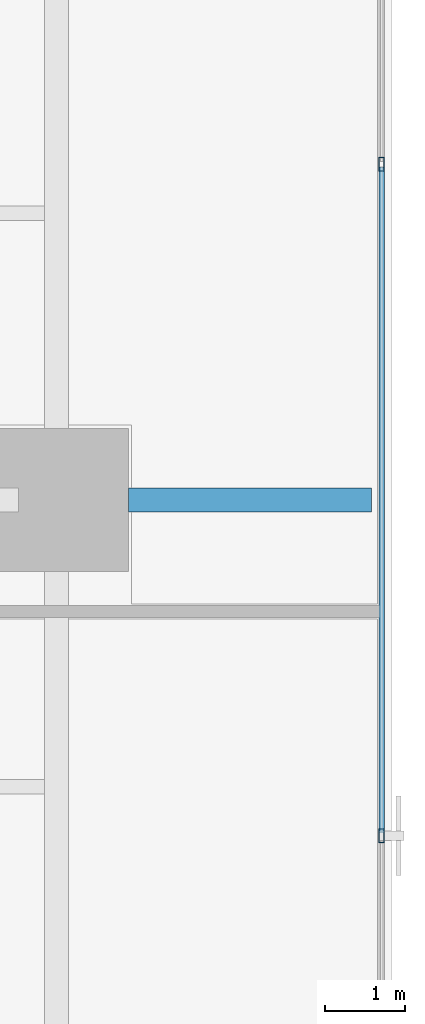
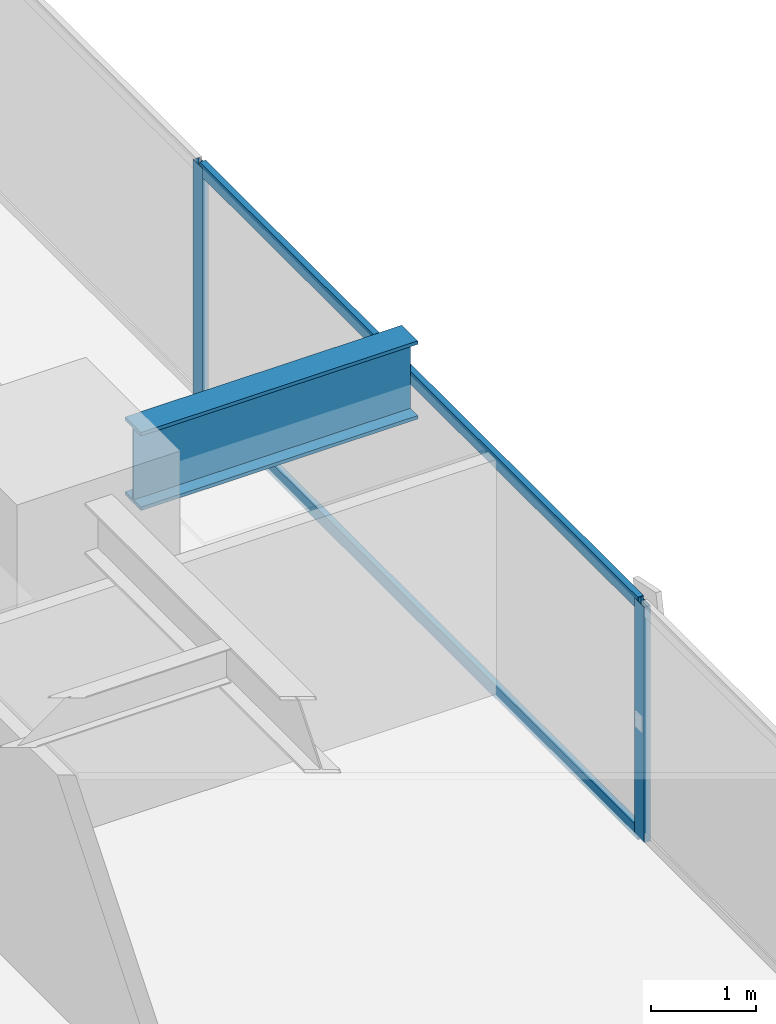
# One storey, part 14 of 32: 4 members, 1 beam, 1 element without a shape of its own.
"""IFC4 building model written with IfcOpenShell, lengths in metres."""

import ifcopenshell
import ifcopenshell.guid

model = None  # the IFC model being written
_history = None  # IfcOwnerHistory: only IFC2X3 demands one
_inside = {}  # id of a spatial element -> (the spatial element, [elements in it])
_under = {}  # id of a project, library or spatial element -> (it, [spatial elements below it])
_declared = {}  # id of a project -> (the project, [libraries it declares])
_typed = {}  # id of a type object -> (the type object, [elements of that type])
_made_of = {}  # id of a material, layer set ... -> (it, [elements and type objects made of it])


def new_model(schema):
    """Start an empty IFC model of exactly this schema.

    Asked for "IFC4X3", IfcOpenShell would pick the latest addendum, in which some entities
    have other attributes; the version numbers below select the first issue.
    IFC2X3 requires an IfcOwnerHistory on every rooted entity: one is made here for all.
    """
    global model, _history
    if schema == "IFC4X3":
        model = ifcopenshell.file(schema_version=(4, 3, 0, 0))
    else:
        model = ifcopenshell.file(schema=schema)
    _inside.clear()
    _under.clear()
    _declared.clear()
    _typed.clear()
    _made_of.clear()
    _history = None
    if model.schema == "IFC2X3":
        org = make("IfcOrganization", Name="unknown")
        user = make(
            "IfcPersonAndOrganization",
            ThePerson=make("IfcPerson", FamilyName="unknown"),
            TheOrganization=org,
        )
        app = make(
            "IfcApplication",
            ApplicationDeveloper=org,
            Version="unknown",
            ApplicationFullName="unknown",
            ApplicationIdentifier="unknown",
        )
        _history = make(
            "IfcOwnerHistory",
            OwningUser=user,
            OwningApplication=app,
            ChangeAction="ADDED",
            CreationDate=0,
        )
    return model


def make(cls, **values):
    """One entity of the class cls with the attributes given. An attribute that is None is left unset."""
    return model.create_entity(
        cls, **{name: value for name, value in values.items() if value is not None}
    )


def rooted(cls, **values):
    """An entity with a GlobalId (a new one), such as an element, a storey or a relation."""
    return make(cls, GlobalId=ifcopenshell.guid.new(), OwnerHistory=_history, **values)


def si_unit(unit_type, name, prefix=None):
    """IfcSIUnit, for example si_unit("LENGTHUNIT", "METRE", prefix="MILLI")."""
    return make("IfcSIUnit", UnitType=unit_type, Prefix=prefix, Name=name)


def assignment(units):
    """IfcUnitAssignment: the units of a project."""
    return None if units is None else make("IfcUnitAssignment", Units=units)


def point(xyz):
    """IfcCartesianPoint."""
    return None if xyz is None else make("IfcCartesianPoint", Coordinates=xyz)


def direction(xyz):
    """IfcDirection."""
    return None if xyz is None else make("IfcDirection", DirectionRatios=xyz)


def frame(location, z_axis=None, x_axis=None):
    """IfcAxis2Placement3D, a coordinate frame: its origin and axes. An axis left out is left unset."""
    return make(
        "IfcAxis2Placement3D",
        Location=point(location),
        Axis=direction(z_axis),
        RefDirection=direction(x_axis),
    )


def frame_2d(location, x_axis=None):
    """IfcAxis2Placement2D, a coordinate frame in the plane: its origin and x axis."""
    return make(
        "IfcAxis2Placement2D", Location=point(location), RefDirection=direction(x_axis)
    )


def origin():
    """The frame at (0, 0, 0) with its axes left unset."""
    return frame((0.0, 0.0, 0.0))


def origin_2d():
    """The frame at (0, 0) in the plane with its x axis left unset."""
    return frame_2d((0.0, 0.0))


def place(relative_to, where):
    """IfcLocalPlacement: puts the frame where relative to a parent placement (None: the world)."""
    return make(
        "IfcLocalPlacement", PlacementRelTo=relative_to, RelativePlacement=where
    )


def context(
    kind, dimensions, precision=None, world=None, true_north=None, identifier=None
):
    """IfcGeometricRepresentationContext, for example the 3D "Model" context."""
    return make(
        "IfcGeometricRepresentationContext",
        ContextIdentifier=identifier,
        ContextType=kind,
        CoordinateSpaceDimension=dimensions,
        Precision=precision,
        WorldCoordinateSystem=world,
        TrueNorth=true_north,
    )


def subcontext(parent, identifier, kind, view, scale=None):
    """IfcGeometricRepresentationSubContext, for example "Body" below "Model"."""
    return make(
        "IfcGeometricRepresentationSubContext",
        ContextIdentifier=identifier,
        ContextType=kind,
        ParentContext=parent,
        TargetScale=scale,
        TargetView=view,
    )


def project(units=None, contexts=None):
    """IfcProject with its units and contexts."""
    return rooted(
        "IfcProject",
        Name="project",
        RepresentationContexts=contexts,
        UnitsInContext=assignment(units),
    )


def spatial(cls, under=None, at=None, **own):
    """A site, building, storey or space (cls), placed at a placement, below another one or the project."""
    s = rooted(cls, ObjectPlacement=at, **own)
    if under is not None:
        _under.setdefault(under.id(), (under, []))[1].append(s)
    return s


def profile(cls, at=None, kind="AREA", **sizes):
    """A parametric profile (cls). Its sizes go by their IFC names, for example OverallWidth=200.0."""
    return make(cls, ProfileType=kind, Position=at, **sizes)


def hollow_rectangle(**sizes):
    """IfcRectangleHollowProfileDef."""
    return profile("IfcRectangleHollowProfileDef", **sizes)


def i_section(**sizes):
    """IfcIShapeProfileDef."""
    return profile("IfcIShapeProfileDef", **sizes)


def extrude(swept, where, along, depth):
    """IfcExtrudedAreaSolid: the profile swept, set in the frame where, extruded along a direction by depth."""
    return make(
        "IfcExtrudedAreaSolid",
        SweptArea=swept,
        Position=where,
        ExtrudedDirection=direction(along),
        Depth=depth,
    )


def shape(context_of_items, identifier, shape_type, items):
    """IfcShapeRepresentation: the items that make up one representation, for example the "Body"."""
    return make(
        "IfcShapeRepresentation",
        ContextOfItems=context_of_items,
        RepresentationIdentifier=identifier,
        RepresentationType=shape_type,
        Items=items,
    )


def source(mapping_origin, context_of_items, identifier, shape_type, items):
    """IfcRepresentationMap: a shape defined once, which mapped items show again and again."""
    return make(
        "IfcRepresentationMap",
        MappingOrigin=mapping_origin,
        MappedRepresentation=shape(context_of_items, identifier, shape_type, items),
    )


def transform(
    local_origin,
    x_axis=None,
    y_axis=None,
    z_axis=None,
    scale=None,
    scale2=None,
    scale3=None,
    uniform=True,
):
    """IfcCartesianTransformationOperator3D, or its non-uniform kind. x_axis, y_axis, z_axis: its Axis1, 2, 3."""
    if uniform:
        return make(
            "IfcCartesianTransformationOperator3D",
            Axis1=direction(x_axis),
            Axis2=direction(y_axis),
            LocalOrigin=point(local_origin),
            Scale=scale,
            Axis3=direction(z_axis),
        )
    return make(
        "IfcCartesianTransformationOperator3DnonUniform",
        Axis1=direction(x_axis),
        Axis2=direction(y_axis),
        LocalOrigin=point(local_origin),
        Scale=scale,
        Axis3=direction(z_axis),
        Scale2=scale2,
        Scale3=scale3,
    )


def mapped(mapping_source, mapping_target):
    """IfcMappedItem: shows the shape of a source again, moved by a transform."""
    return make(
        "IfcMappedItem", MappingSource=mapping_source, MappingTarget=mapping_target
    )


def material(Name=None, Category=None):
    """IfcMaterial."""
    return make("IfcMaterial", Name=Name, Category=Category)


def layer(
    of_material, thickness, ventilated=None, Name=None, Category=None, Priority=None
):
    """IfcMaterialLayer: one layer of a wall or slab, of a material (None: an air gap)."""
    return make(
        "IfcMaterialLayer",
        Material=of_material,
        LayerThickness=thickness,
        IsVentilated=ventilated,
        Name=Name,
        Category=Category,
        Priority=Priority,
    )


def layer_set(layers, Name=None):
    """IfcMaterialLayerSet."""
    return make("IfcMaterialLayerSet", MaterialLayers=layers, LayerSetName=Name)


def material_profile(
    of_material, cross_section, Name=None, Category=None, Priority=None
):
    """IfcMaterialProfile: a cross section and its material."""
    return make(
        "IfcMaterialProfile",
        Name=Name,
        Material=of_material,
        Profile=cross_section,
        Priority=Priority,
        Category=Category,
    )


def profile_set(profiles, Name=None, composite=None):
    """IfcMaterialProfileSet."""
    return make(
        "IfcMaterialProfileSet",
        Name=Name,
        MaterialProfiles=profiles,
        CompositeProfile=composite,
    )


def made_of(thing, what):
    """Note that an element or type object is made of a material, layer set ...; save() writes the relation."""
    if what is not None:
        _made_of.setdefault(what.id(), (what, []))[1].append(thing)
    return thing


def type_object(cls, material=None, **own):
    """A type object (cls), such as IfcWallType, which elements share."""
    return made_of(rooted(cls, **own), material)


def element(
    cls,
    number,
    at=None,
    inside=None,
    cuts=None,
    type_object=None,
    material=None,
    context=None,
    identifier="Body",
    shape_type=None,
    held_by="IfcProductDefinitionShape",
    body=None,
    shapes=None,
    **own,
):
    """One element of the class cls, such as IfcWall. Its Tag is "e" and its number.

    at: its placement. inside: the storey or other place that contains it. cuts: it is an
    opening in that element (IfcRelVoidsElement). A single representation is given by context,
    identifier, shape_type and body (its items); several are given by shapes. held_by: the class
    of the entity that holds the representations. save() writes the other relations.
    """
    e = rooted(cls, Tag="e%d" % number, ObjectPlacement=at, **own)
    if body is not None:
        shapes = [shape(context, identifier, shape_type, body)]
    if shapes is not None:
        e.Representation = make(held_by, Representations=shapes)
    if inside is not None:
        _inside.setdefault(inside.id(), (inside, []))[1].append(e)
    if cuts is not None:
        rooted(
            "IfcRelVoidsElement", RelatingBuildingElement=cuts, RelatedOpeningElement=e
        )
    if type_object is not None:
        _typed.setdefault(type_object.id(), (type_object, []))[1].append(e)
    return made_of(e, material)


def aggregate(whole, parts):
    """IfcRelAggregates: a whole, such as a stair, and the parts it consists of."""
    return rooted("IfcRelAggregates", RelatingObject=whole, RelatedObjects=parts)


def save(model, path):
    """Write the relations noted so far, then the file.

    IfcRelAggregates (storeys below a building ...), IfcRelContainedInSpatialStructure (elements
    in a storey), IfcRelDefinesByType, IfcRelAssociatesMaterial and IfcRelDeclares: one each for
    every whole, place, type object, material and project.
    """
    for whole, parts in _under.values():
        aggregate(whole, parts)
    for where, things in _inside.values():
        rooted(
            "IfcRelContainedInSpatialStructure",
            RelatedElements=things,
            RelatingStructure=where,
        )
    for kind, things in _typed.values():
        rooted("IfcRelDefinesByType", RelatedObjects=things, RelatingType=kind)
    for what, things in _made_of.values():
        rooted("IfcRelAssociatesMaterial", RelatedObjects=things, RelatingMaterial=what)
    for by, libraries in _declared.values():
        rooted("IfcRelDeclares", RelatingContext=by, RelatedDefinitions=libraries)
    model.write(path)


model = new_model("IFC4")

# Units and contexts
model_context = context("Model", 3, precision=1e-05, world=origin(), true_north=direction((0.0, 1.0)))
body_context = subcontext(model_context, "Body", "Model", "MODEL_VIEW")
ifc_project = project(units=[si_unit("LENGTHUNIT", "METRE"), si_unit("AREAUNIT", "SQUARE_METRE"), si_unit("VOLUMEUNIT", "CUBIC_METRE"), si_unit("PLANEANGLEUNIT", "RADIAN"), si_unit("MASSUNIT", "GRAM", prefix="KILO")], contexts=[model_context])

# Site, building, storey
site_placement = place(None, origin())
site = spatial("IfcSite", under=ifc_project, at=site_placement, CompositionType="ELEMENT")
building_placement = place(site_placement, origin())
building = spatial("IfcBuilding", under=site, at=building_placement, Name="Sumidabori Civic Tower", CompositionType="ELEMENT")
storey_placement = place(building_placement, frame((0.0, 0.0, 48.800048828125)))
storey = spatial("IfcBuildingStorey", under=building, at=storey_placement, Name="L12", CompositionType="ELEMENT", Elevation=48.800048828125)

# Beam
ifc_material_1 = material(Name="Steel SN490", Category="steel")
ifc_material_profile_1 = material_profile(ifc_material_1, i_section(OverallWidth=0.302001953125, OverallDepth=0.909912109375, WebThickness=0.02099609375, FlangeThickness=0.0400390625, at=origin_2d()), Name="HE 900 M")
ifc_profile_set_1 = profile_set([ifc_material_profile_1], Name="Steel SN490")
beam_type = type_object("IfcBeamType", Name="BM-Z1-EDGE", PredefinedType="SPANDREL", material=ifc_profile_set_1)
shared_shape_1 = source(origin(), body_context, "Body", "SweptSolid", [
    extrude(i_section(OverallWidth=0.302001953125, OverallDepth=0.909912109375, WebThickness=0.02099609375, FlangeThickness=0.0400390625, at=origin_2d()), origin(), (0.0, 0.0, 1.0), 3.050048828125),
])
beam_placement = place(storey_placement, frame((23.699951171875, 0.0, 2.905029296875), z_axis=(1.0, 0.0, 0.0), x_axis=(0.0, 1.0, 0.0)))
element("IfcBeam", 1, at=beam_placement, inside=storey, type_object=beam_type, Name="Perimeter Overhang Beam L12 E-45", PredefinedType="SPANDREL", context=body_context, shape_type="MappedRepresentation", body=[
    mapped(shared_shape_1, transform((0.0, 0.0, 0.0), x_axis=(1.0, 0.0, 0.0), y_axis=(0.0, 1.0, 0.0), z_axis=(0.0, 0.0, 1.0), scale=1.0)),
])

# Curtain wall, members
ifc_material_2 = material(Name="Anodised Bronze Aluminium AW-6063-T6", Category="aluminium")
ifc_layer = layer(ifc_material_2, 0.179931640625, Name="Anodised Bronze Aluminium AW-6063-T6")
ifc_layer_set = layer_set([ifc_layer], Name="Anodised Bronze Aluminium AW-6063-T6")
curtain_wall_type = type_object("IfcCurtainWallType", Name="CW-SYS-2", PredefinedType="NOTDEFINED", material=ifc_layer_set)
curtain_wall_placement = place(storey_placement, origin())
curtain_wall = element("IfcCurtainWall", 2, at=curtain_wall_placement, inside=storey, type_object=curtain_wall_type, Name="Curtain Wall CW:L12:R04", PredefinedType="NOTDEFINED")
ifc_material_profile_2 = material_profile(ifc_material_2, hollow_rectangle(XDim=0.070068359375, YDim=0.179931640625, WallThickness=0.006103515625, at=origin_2d()), Name="ALU MULLION 180x70")
ifc_profile_set_2 = profile_set([ifc_material_profile_2], Name="Anodised Bronze Aluminium AW-6063-T6")
member_type_1 = type_object("IfcMemberType", Name="CW-MUL-180", PredefinedType="MULLION", material=ifc_profile_set_2)
shared_shape_2 = source(origin(), body_context, "Body", "SweptSolid", [
    extrude(hollow_rectangle(XDim=0.070068359375, YDim=0.179931640625, WallThickness=0.006103515625, at=origin_2d()), origin(), (0.0, 0.0, 1.0), 2.739990234375),
])
member_1_placement = place(storey_placement, frame((26.8798828125, -4.214111328125, 0.0), z_axis=(0.0, 0.0, 1.0), x_axis=(-1.0, 0.0, 0.0)))
member_1 = element("IfcMember", 3, at=member_1_placement, type_object=member_type_1, Name="CW-2 mullion 3", PredefinedType="MULLION", context=body_context, shape_type="MappedRepresentation", body=[
    mapped(shared_shape_2, transform((0.0, 0.0, 0.0), x_axis=(1.0, 0.0, 0.0), y_axis=(0.0, 1.0, 0.0), z_axis=(0.0, 0.0, 1.0), scale=1.0)),
])
member_2_placement = place(storey_placement, frame((26.8798828125, 4.214111328125, 0.0), z_axis=(0.0, 0.0, 1.0), x_axis=(-1.0, 0.0, 0.0)))
member_2 = element("IfcMember", 4, at=member_2_placement, type_object=member_type_1, Name="CW-2 mullion 4", PredefinedType="MULLION", context=body_context, shape_type="MappedRepresentation", body=[
    mapped(shared_shape_2, transform((0.0, 0.0, 0.0), x_axis=(1.0, 0.0, 0.0), y_axis=(0.0, 1.0, 0.0), z_axis=(0.0, 0.0, 1.0), scale=1.0)),
])
ifc_material_profile_3 = material_profile(ifc_material_2, hollow_rectangle(XDim=0.06494140625, YDim=0.14990234375, WallThickness=0.0048828125, at=origin_2d()), Name="ALU TRANSOM 150x65")
ifc_profile_set_3 = profile_set([ifc_material_profile_3], Name="Anodised Bronze Aluminium AW-6063-T6")
member_type_2 = type_object("IfcMemberType", Name="CW-TRN-150", PredefinedType="USERDEFINED", material=ifc_profile_set_3)
shared_shape_3 = source(origin(), body_context, "Body", "SweptSolid", [
    extrude(hollow_rectangle(XDim=0.06494140625, YDim=0.14990234375, WallThickness=0.0048828125, at=origin_2d()), origin(), (0.0, 0.0, 1.0), 8.35791015625),
])
member_3_placement = place(storey_placement, frame((26.8798828125, -4.178955078125, 0.032470703125), z_axis=(0.0, 1.0, 0.0), x_axis=(-1.0, 0.0, 0.0)))
member_3 = element("IfcMember", 5, at=member_3_placement, type_object=member_type_2, Name="CW-2 transom 3.1", ObjectType="TRANSOM", PredefinedType="USERDEFINED", context=body_context, shape_type="MappedRepresentation", body=[
    mapped(shared_shape_3, transform((0.0, 0.0, 0.0), x_axis=(1.0, 0.0, 0.0), y_axis=(0.0, 1.0, 0.0), z_axis=(0.0, 0.0, 1.0), scale=1.0)),
])
member_4_placement = place(storey_placement, frame((26.8798828125, -4.178955078125, 2.70751953125), z_axis=(0.0, 1.0, 0.0), x_axis=(-1.0, 0.0, 0.0)))
member_4 = element("IfcMember", 6, at=member_4_placement, type_object=member_type_2, Name="CW-2 transom 3.2", ObjectType="TRANSOM", PredefinedType="USERDEFINED", context=body_context, shape_type="MappedRepresentation", body=[
    mapped(shared_shape_3, transform((0.0, 0.0, 0.0), x_axis=(1.0, 0.0, 0.0), y_axis=(0.0, 1.0, 0.0), z_axis=(0.0, 0.0, 1.0), scale=1.0)),
])
aggregate(curtain_wall, [member_1, member_2, member_3, member_4])

save(model, "model.ifc")
